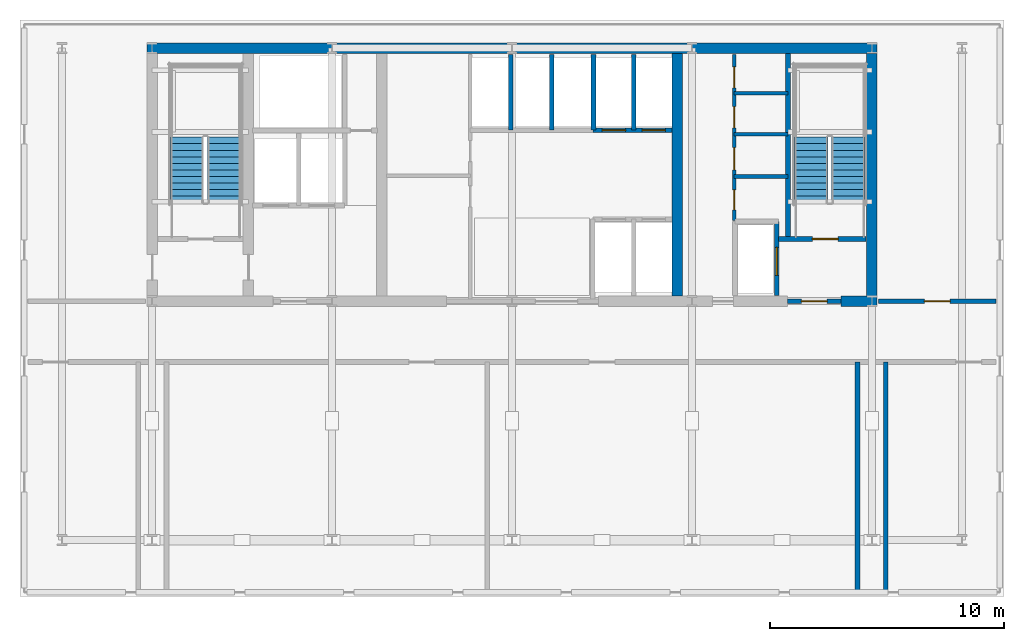
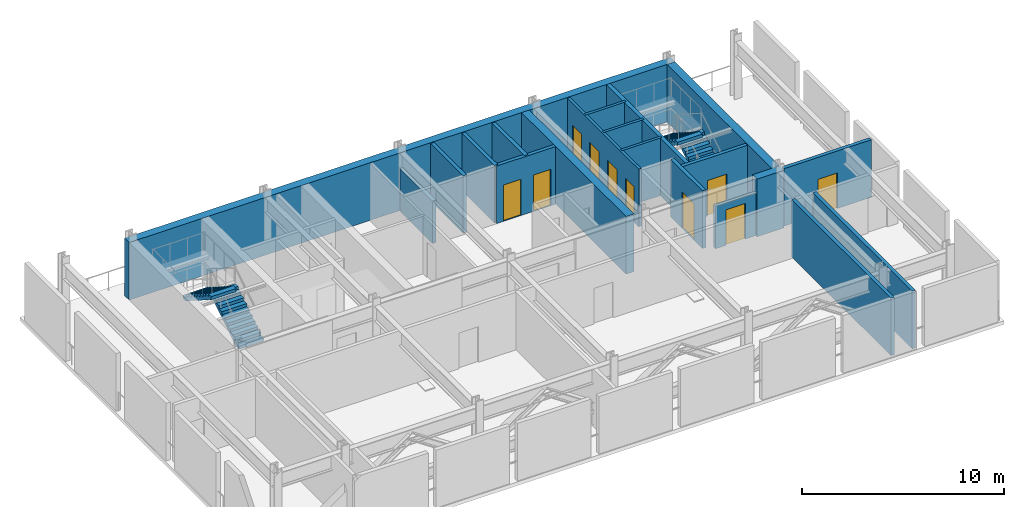
# One storey, part 3 of 7: 20 walls, 10 doors, 4 stair flights, 10 openings, 2 elements without a shape of their own.
"""IFC4 building model written with IfcOpenShell, lengths in metres."""

from ifc_helpers import new_model, si_unit, direction, frame, frame_2d, origin, place, context, subcontext, project, spatial, polyline, rectangle, outline, extrude, material, layer, layer_set, type_object, element, fill, aggregate, save


model = new_model("IFC4")

# Units and contexts
model_context = context("Model", 3, precision=1e-05, world=origin(), true_north=direction((0.0, 1.0)))
body_context = subcontext(model_context, "Body", "Model", "MODEL_VIEW")
ifc_project = project(units=[si_unit("LENGTHUNIT", "METRE"), si_unit("AREAUNIT", "SQUARE_METRE"), si_unit("VOLUMEUNIT", "CUBIC_METRE"), si_unit("PLANEANGLEUNIT", "RADIAN"), si_unit("MASSUNIT", "GRAM", prefix="KILO")], contexts=[model_context])

# Site, building, storey
site_placement = place(None, origin())
site = spatial("IfcSite", under=ifc_project, at=site_placement, CompositionType="ELEMENT")
building_placement = place(site_placement, origin())
building = spatial("IfcBuilding", under=site, at=building_placement, Name="Yelkora Congress Tower", CompositionType="ELEMENT")
storey_placement = place(building_placement, frame((0.0, 0.0, 141.199951171875)))
storey = spatial("IfcBuildingStorey", under=building, at=storey_placement, Name="L38", CompositionType="ELEMENT", Elevation=141.199951171875)

# Walls
ifc_material_1 = material(Name="Concrete C50/60", Category="concrete")
ifc_layer_1 = layer(ifc_material_1, 0.219970703125)
ifc_layer_set_1 = layer_set([ifc_layer_1], Name="Concrete C50/60")
wall_type_1 = type_object("IfcWallType", Name="WALL-CORE-INT-220", PredefinedType="SHEAR", material=ifc_layer_set_1)
wall_1_placement = place(storey_placement, frame((50.179931640625, 38.050048828125, 0.0), z_axis=(0.0, 0.0, 1.0), x_axis=(0.0, 1.0, 0.0)))
element("IfcWall", 1, at=wall_1_placement, inside=storey, type_object=wall_type_1, Name="L38 ST02 West Stair Shear Wall", PredefinedType="SHEAR", context=body_context, shape_type="SweptSolid", body=[
    extrude(rectangle(XDim=7.925048828125, YDim=0.219970703125, at=frame_2d((3.96240234375, 0.0))), origin(), (0.0, 0.0, 1.0), 3.47998046875),
])
ifc_material_2 = material(Name="Concrete C60/75", Category="concrete")
ifc_layer_2 = layer(ifc_material_2, 0.449951171875)
ifc_layer_set_2 = layer_set([ifc_layer_2], Name="Concrete C60/75")
wall_type_2 = type_object("IfcWallType", Name="WALL-CORE-INT-450", PredefinedType="SHEAR", material=ifc_layer_set_2)
wall_2_placement = place(storey_placement, frame((22.81494140625, 46.199951171875, 0.0), z_axis=(0.0, 0.0, 1.0), x_axis=(1.0, 0.0, 0.0)))
element("IfcWall", 2, at=wall_2_placement, inside=storey, type_object=wall_type_2, Name="L38 Rear Core North Shear Wall", PredefinedType="SHEAR", context=body_context, shape_type="SweptSolid", body=[
    extrude(rectangle(XDim=31.170166015625, YDim=0.449951171875, at=frame_2d((15.5849609375, 0.0))), origin(), (0.0, 0.0, 1.0), 3.47998046875),
])
wall_3_placement = place(storey_placement, frame((52.449951171875, 35.39990234375, 0.0), z_axis=(0.0, 0.0, 1.0), x_axis=(1.0, 0.0, 0.0)))
element("IfcWall", 3, at=wall_3_placement, inside=storey, type_object=wall_type_2, Name="L38 Rear Core South-East Shear Wall B", PredefinedType="SHEAR", context=body_context, shape_type="SweptSolid", body=[
    extrude(rectangle(XDim=1.53515625, YDim=0.449951171875, at=frame_2d((0.767578125, 0.0))), origin(), (0.0, 0.0, 1.0), 3.47998046875),
])
for number, where, z_axis, x_axis, name in (
    (4, (45.449951171875, 35.625, 0.0), (0.0, 0.0, 1.0), (0.0, 1.0, 0.0), "L38 Rear Core Cross Shear Wall C3"),
    (5, (53.760009765625, 35.625, 0.0), (0.0, 0.0, 1.0), (0.0, 1.0, 0.0), "L38 Rear Core Cross Shear Wall E"),
):
    element("IfcWall", number, at=place(storey_placement, frame(where, z_axis=z_axis, x_axis=x_axis)), inside=storey, type_object=wall_type_2, Name=name, PredefinedType="SHEAR", context=body_context, shape_type="SweptSolid", body=[
        extrude(rectangle(XDim=10.35009765625, YDim=0.449951171875, at=frame_2d((5.175048828125, 0.0))), origin(), (0.0, 0.0, 1.0), 3.47998046875),
    ])
ifc_material_3 = material(Name="Acoustic metal-stud gypsum partition", Category="gypsum")
ifc_layer_3 = layer(ifc_material_3, 0.14990234375)
ifc_layer_set_3 = layer_set([ifc_layer_3], Name="Acoustic metal-stud gypsum partition")
wall_type_3 = type_object("IfcWallType", Name="WALL-INT-150-NR", PredefinedType="PARTITIONING", material=ifc_layer_set_3)
for number, where, z_axis, x_axis, name in (
    (6, (47.8798828125, 40.719970703125, 0.0), (0.0, 0.0, 1.0), (1.0, 0.0, 0.0), "L38 Partition Wall 24"),
    (7, (47.8798828125, 42.52001953125, 0.0), (0.0, 0.0, 1.0), (1.0, 0.0, 0.0), "L38 Partition Wall 25"),
    (8, (47.8798828125, 44.280029296875, 0.0), (0.0, 0.0, 1.0), (1.0, 0.0, 0.0), "L38 Partition Wall 26"),
):
    element("IfcWall", number, at=place(storey_placement, frame(where, z_axis=z_axis, x_axis=x_axis)), inside=storey, type_object=wall_type_3, Name=name, PredefinedType="PARTITIONING", context=body_context, shape_type="SweptSolid", body=[
        extrude(rectangle(XDim=2.300048828125, YDim=0.14990234375, at=frame_2d((1.14990234375, 0.0))), origin(), (0.0, 0.0, 1.0), 3.47998046875),
    ])

# Wall, openings, doors
wall_4_placement = place(storey_placement, frame((47.8798828125, 38.85009765625, 0.0), z_axis=(0.0, 0.0, 1.0), x_axis=(0.0, 1.0, 0.0)))
wall_4 = element("IfcWall", 9, at=wall_4_placement, inside=storey, type_object=wall_type_3, Name="L38 Partition Wall 27", PredefinedType="PARTITIONING", context=body_context, shape_type="SweptSolid", body=[
    extrude(rectangle(XDim=7.06982421875, YDim=0.14990234375, at=frame_2d((3.534912109375, 0.0))), origin(), (0.0, 0.0, 1.0), 3.47998046875),
])
opening_1_placement = place(wall_4_placement, frame((0.449951171875, 0.0, 0.0)))
opening_1 = element("IfcOpeningElement", 10, at=opening_1_placement, cuts=wall_4, Name="Opening DR-085N", PredefinedType="OPENING", context=body_context, shape_type="SweptSolid", body=[
    extrude(rectangle(XDim=0.85009765625, YDim=2.14990234375, at=frame_2d((0.425048828125, 1.074951171875))), frame((0.0, 0.0849609375, 0.0), z_axis=(0.0, -1.0, 0.0), x_axis=(1.0, 0.0, 0.0)), (0.0, 0.0, 1.0), 0.169921875),
])
opening_2_placement = place(wall_4_placement, frame((2.14990234375, 0.0, 0.0)))
opening_2 = element("IfcOpeningElement", 11, at=opening_2_placement, cuts=wall_4, Name="Opening DR-095N", PredefinedType="OPENING", context=body_context, shape_type="SweptSolid", body=[
    extrude(rectangle(XDim=0.949951171875, YDim=2.14990234375, at=frame_2d((0.47509765625, 1.074951171875))), frame((0.0, 0.0849609375, 0.0), z_axis=(0.0, -1.0, 0.0), x_axis=(1.0, 0.0, 0.0)), (0.0, 0.0, 1.0), 0.169921875),
])
opening_3_placement = place(wall_4_placement, frame((3.949951171875, 0.0, 0.0)))
opening_3 = element("IfcOpeningElement", 12, at=opening_3_placement, cuts=wall_4, Name="Opening DR-090N", PredefinedType="OPENING", context=body_context, shape_type="SweptSolid", body=[
    extrude(rectangle(XDim=0.89990234375, YDim=2.14990234375, at=frame_2d((0.449951171875, 1.074951171875))), frame((0.0, 0.0849609375, 0.0), z_axis=(0.0, -1.0, 0.0), x_axis=(1.0, 0.0, 0.0)), (0.0, 0.0, 1.0), 0.169921875),
])
opening_4_placement = place(wall_4_placement, frame((5.64990234375, 0.0, 0.0)))
opening_4 = element("IfcOpeningElement", 13, at=opening_4_placement, cuts=wall_4, Name="Opening DR-090N", PredefinedType="OPENING", context=body_context, shape_type="SweptSolid", body=[
    extrude(rectangle(XDim=0.89990234375, YDim=2.14990234375, at=frame_2d((0.449951171875, 1.074951171875))), frame((0.0, 0.0849609375, 0.0), z_axis=(0.0, -1.0, 0.0), x_axis=(1.0, 0.0, 0.0)), (0.0, 0.0, 1.0), 0.169921875),
])
ifc_material_4 = material(Name="Laminate service store door leaf", Category="wood")
door_type_1 = type_object("IfcDoorType", Name="DOOR-INT-850", OperationType="NOTDEFINED", PredefinedType="DOOR", material=ifc_material_4)
door_1_placement = place(opening_1_placement, origin())
door_1 = element("IfcDoor", 14, at=door_1_placement, inside=storey, type_object=door_type_1, Name="L38 Janitor Room Door", OperationType="SINGLE_SWING_RIGHT", OverallHeight=2.14990234375, OverallWidth=0.85009765625, PredefinedType="DOOR", context=body_context, shape_type="SweptSolid", body=[
    extrude(rectangle(XDim=0.85009765625, YDim=2.14990234375, at=frame_2d((0.425048828125, 1.074951171875))), frame((0.0, 0.02490234375, 0.0), z_axis=(0.0, -1.0, 0.0), x_axis=(1.0, 0.0, 0.0)), (0.0, 0.0, 1.0), 0.050048828125),
])
fill(opening_1, door_1)
ifc_material_5 = material(Name="Moisture-resistant laminate door leaf", Category="wood")
door_type_2 = type_object("IfcDoorType", Name="DOOR-INT-900", OperationType="NOTDEFINED", PredefinedType="DOOR", material=ifc_material_5)
door_2_placement = place(opening_3_placement, origin())
door_2 = element("IfcDoor", 15, at=door_2_placement, inside=storey, type_object=door_type_2, Name="L38 Male WC Door", OperationType="SINGLE_SWING_RIGHT", OverallHeight=2.14990234375, OverallWidth=0.89990234375, PredefinedType="DOOR", context=body_context, shape_type="SweptSolid", body=[
    extrude(rectangle(XDim=0.89990234375, YDim=2.14990234375, at=frame_2d((0.449951171875, 1.074951171875))), frame((0.0, 0.02490234375, 0.0), z_axis=(0.0, -1.0, 0.0), x_axis=(1.0, 0.0, 0.0)), (0.0, 0.0, 1.0), 0.050048828125),
])
fill(opening_3, door_2)
door_3_placement = place(opening_4_placement, origin())
door_3 = element("IfcDoor", 16, at=door_3_placement, inside=storey, type_object=door_type_2, Name="L38 Female WC Door", OperationType="SINGLE_SWING_LEFT", OverallHeight=2.14990234375, OverallWidth=0.89990234375, PredefinedType="DOOR", context=body_context, shape_type="SweptSolid", body=[
    extrude(rectangle(XDim=0.89990234375, YDim=2.14990234375, at=frame_2d((0.449951171875, 1.074951171875))), frame((0.0, 0.02490234375, 0.0), z_axis=(0.0, -1.0, 0.0), x_axis=(1.0, 0.0, 0.0)), (0.0, 0.0, 1.0), 0.050048828125),
])
fill(opening_4, door_3)
ifc_material_6 = material(Name="Acoustic laminated timber office door", Category="wood")
door_type_3 = type_object("IfcDoorType", Name="DOOR-INT-950", OperationType="NOTDEFINED", PredefinedType="DOOR", material=ifc_material_6)
door_4_placement = place(opening_2_placement, origin())
door_4 = element("IfcDoor", 17, at=door_4_placement, inside=storey, type_object=door_type_3, Name="L38 Accessible WC Door", OperationType="SINGLE_SWING_LEFT", OverallHeight=2.14990234375, OverallWidth=0.949951171875, PredefinedType="DOOR", context=body_context, shape_type="SweptSolid", body=[
    extrude(rectangle(XDim=0.949951171875, YDim=2.14990234375, at=frame_2d((0.47509765625, 1.074951171875))), frame((0.0, 0.02490234375, 0.0), z_axis=(0.0, -1.0, 0.0), x_axis=(1.0, 0.0, 0.0)), (0.0, 0.0, 1.0), 0.050048828125),
])
fill(opening_2, door_4)

# Walls
ifc_material_7 = material(Name="Autoclaved aerated concrete blockwork", Category="masonry")
ifc_layer_4 = layer(ifc_material_7, 0.199951171875)
ifc_layer_set_4 = layer_set([ifc_layer_4], Name="Autoclaved aerated concrete blockwork")
wall_type_4 = type_object("IfcWallType", Name="WALL-INT-200-R120", PredefinedType="PARTITIONING", material=ifc_layer_set_4)
wall_5_placement = place(storey_placement, frame((38.35009765625, 42.699951171875, 0.0), z_axis=(0.0, 0.0, 1.0), x_axis=(0.0, 1.0, 0.0)))
element("IfcWall", 18, at=wall_5_placement, inside=storey, type_object=wall_type_4, Name="L38 Partition Wall 9", PredefinedType="PARTITIONING", context=body_context, shape_type="SweptSolid", body=[
    extrude(rectangle(XDim=3.219970703125, YDim=0.199951171875, at=frame_2d((1.60986328125, 0.0))), origin(), (0.0, 0.0, 1.0), 2.56494140625),
])
wall_6_placement = place(storey_placement, frame((40.10009765625, 42.699951171875, 0.0), z_axis=(0.0, 0.0, 1.0), x_axis=(0.0, 1.0, 0.0)))
element("IfcWall", 19, at=wall_6_placement, inside=storey, type_object=wall_type_4, Name="L38 Partition Wall 10", PredefinedType="PARTITIONING", context=body_context, shape_type="SweptSolid", body=[
    extrude(rectangle(XDim=3.219970703125, YDim=0.199951171875, at=frame_2d((1.60986328125, 0.0))), origin(), (0.0, 0.0, 1.0), 3.47998046875),
])

# Wall, openings, doors
wall_7_placement = place(storey_placement, frame((41.85009765625, 42.699951171875, 0.0), z_axis=(0.0, 0.0, 1.0), x_axis=(1.0, 0.0, 0.0)))
wall_7 = element("IfcWall", 20, at=wall_7_placement, inside=storey, type_object=wall_type_4, Name="L38 Partition Wall 14", PredefinedType="PARTITIONING", context=body_context, shape_type="SweptSolid", body=[
    extrude(rectangle(XDim=3.369873046875, YDim=0.199951171875, at=frame_2d((1.68505859375, 0.0))), origin(), (0.0, 0.0, 1.0), 3.47998046875),
])
opening_5_placement = place(wall_7_placement, frame((0.39990234375, 0.0, 0.0)))
opening_5 = element("IfcOpeningElement", 21, at=opening_5_placement, cuts=wall_7, Name="Opening LD-PS10", PredefinedType="OPENING", context=body_context, shape_type="SweptSolid", body=[
    extrude(rectangle(XDim=1.0, YDim=2.199951171875, at=frame_2d((0.5, 1.10009765625))), frame((0.0, 0.10986328125, 0.0), z_axis=(0.0, -1.0, 0.0), x_axis=(1.0, 0.0, 0.0)), (0.0, 0.0, 1.0), 0.219970703125),
])
opening_6_placement = place(wall_7_placement, frame((2.10009765625, 0.0, 0.0)))
opening_6 = element("IfcOpeningElement", 22, at=opening_6_placement, cuts=wall_7, Name="Opening LD-PS10", PredefinedType="OPENING", context=body_context, shape_type="SweptSolid", body=[
    extrude(rectangle(XDim=1.0, YDim=2.199951171875, at=frame_2d((0.5, 1.10009765625))), frame((0.0, 0.10986328125, 0.0), z_axis=(0.0, -1.0, 0.0), x_axis=(1.0, 0.0, 0.0)), (0.0, 0.0, 1.0), 0.219970703125),
])
ifc_material_8 = material(Name="Champagne stainless steel landing door", Category="steel")
door_type_4 = type_object("IfcDoorType", Name="DOOR-LIFT-PAS-1000", OperationType="DOUBLE_DOOR_SLIDING", PredefinedType="DOOR", material=ifc_material_8)
door_5_placement = place(opening_5_placement, origin())
door_5 = element("IfcDoor", 23, at=door_5_placement, inside=storey, type_object=door_type_4, Name="Lift Landing Door LF-P7 L38", OperationType="DOUBLE_DOOR_SLIDING", OverallHeight=2.199951171875, OverallWidth=1.0, PredefinedType="DOOR", context=body_context, shape_type="SweptSolid", body=[
    extrude(rectangle(XDim=1.0, YDim=2.199951171875, at=frame_2d((0.5, 1.10009765625))), frame((0.0, 0.02490234375, 0.0), z_axis=(0.0, -1.0, 0.0), x_axis=(1.0, 0.0, 0.0)), (0.0, 0.0, 1.0), 0.050048828125),
])
fill(opening_5, door_5)
door_6_placement = place(opening_6_placement, origin())
door_6 = element("IfcDoor", 24, at=door_6_placement, inside=storey, type_object=door_type_4, Name="Lift Landing Door LF-P8 L38", OperationType="DOUBLE_DOOR_SLIDING", OverallHeight=2.199951171875, OverallWidth=1.0, PredefinedType="DOOR", context=body_context, shape_type="SweptSolid", body=[
    extrude(rectangle(XDim=1.0, YDim=2.199951171875, at=frame_2d((0.5, 1.10009765625))), frame((0.0, 0.02490234375, 0.0), z_axis=(0.0, -1.0, 0.0), x_axis=(1.0, 0.0, 0.0)), (0.0, 0.0, 1.0), 0.050048828125),
])
fill(opening_6, door_6)

# Walls
for number, where, z_axis, x_axis, name in (
    (25, (43.60009765625, 42.699951171875, 0.0), (0.0, 0.0, 1.0), (0.0, 1.0, 0.0), "L38 Partition Wall 16"),
    (26, (41.8798828125, 42.699951171875, 0.0), (0.0, 0.0, 1.0), (0.0, 1.0, 0.0), "L38 Partition Wall 18"),
):
    element("IfcWall", number, at=place(storey_placement, frame(where, z_axis=z_axis, x_axis=x_axis)), inside=storey, type_object=wall_type_4, Name=name, PredefinedType="PARTITIONING", context=body_context, shape_type="SweptSolid", body=[
        extrude(rectangle(XDim=3.219970703125, YDim=0.199951171875, at=frame_2d((1.60986328125, 0.0))), origin(), (0.0, 0.0, 1.0), 3.47998046875),
    ])

# Wall, opening, door
wall_8_placement = place(storey_placement, frame((49.780029296875, 38.050048828125, 0.0), z_axis=(0.0, 0.0, 1.0), x_axis=(1.0, 0.0, 0.0)))
wall_8 = element("IfcWall", 27, at=wall_8_placement, inside=storey, type_object=wall_type_4, Name="L38 Stair ST-02 Enclosure Wall", PredefinedType="PARTITIONING", context=body_context, shape_type="SweptSolid", body=[
    extrude(rectangle(XDim=3.719970703125, YDim=0.199951171875, at=frame_2d((1.85986328125, 0.0))), origin(), (0.0, 0.0, 1.0), 3.47998046875),
])
opening_7_placement = place(wall_8_placement, frame((1.436279296875, 0.0, 0.0)))
opening_7 = element("IfcOpeningElement", 28, at=opening_7_placement, cuts=wall_8, Name="Opening DR-110F9", PredefinedType="OPENING", context=body_context, shape_type="SweptSolid", body=[
    extrude(rectangle(XDim=1.10009765625, YDim=2.14990234375, at=frame_2d((0.550048828125, 1.074951171875))), frame((0.0, 0.10986328125, 0.0), z_axis=(0.0, -1.0, 0.0), x_axis=(1.0, 0.0, 0.0)), (0.0, 0.0, 1.0), 0.219970703125),
])
ifc_material_9 = material(Name="Galvanised steel fire door leaf", Category="steel")
door_type_5 = type_object("IfcDoorType", Name="DOOR-FD90-1100", OperationType="NOTDEFINED", PredefinedType="DOOR", material=ifc_material_9)
door_7_placement = place(opening_7_placement, origin())
door_7 = element("IfcDoor", 29, at=door_7_placement, inside=storey, type_object=door_type_5, Name="L38 Stair ST-02 Entry Door", OperationType="SINGLE_SWING_LEFT", OverallHeight=2.14990234375, OverallWidth=1.10009765625, PredefinedType="DOOR", context=body_context, shape_type="SweptSolid", body=[
    extrude(rectangle(XDim=1.10009765625, YDim=2.14990234375, at=frame_2d((0.550048828125, 1.074951171875))), frame((0.0, 0.02490234375, 0.0), z_axis=(0.0, -1.0, 0.0), x_axis=(1.0, 0.0, 0.0)), (0.0, 0.0, 1.0), 0.050048828125),
])
fill(opening_7, door_7)

wall_9_placement = place(storey_placement, frame((50.14990234375, 35.39990234375, 0.0), z_axis=(0.0, 0.0, 1.0), x_axis=(1.0, 0.0, 0.0)))
wall_9 = element("IfcWall", 30, at=wall_9_placement, inside=storey, type_object=wall_type_4, Name="L38 Partition Wall 20", PredefinedType="PARTITIONING", context=body_context, shape_type="SweptSolid", body=[
    extrude(rectangle(XDim=2.300048828125, YDim=0.199951171875, at=frame_2d((1.14990234375, 0.0))), origin(), (0.0, 0.0, 1.0), 2.56494140625),
])
opening_8_placement = place(wall_9_placement, frame((0.60009765625, 0.0, 0.0)))
opening_8 = element("IfcOpeningElement", 31, at=opening_8_placement, cuts=wall_9, Name="Opening DR-110F9", PredefinedType="OPENING", context=body_context, shape_type="SweptSolid", body=[
    extrude(rectangle(XDim=1.10009765625, YDim=2.14990234375, at=frame_2d((0.550048828125, 1.074951171875))), frame((0.0, 0.10986328125, 0.0), z_axis=(0.0, -1.0, 0.0), x_axis=(1.0, 0.0, 0.0)), (0.0, 0.0, 1.0), 0.219970703125),
])
door_8_placement = place(opening_8_placement, origin())
door_8 = element("IfcDoor", 32, at=door_8_placement, inside=storey, type_object=door_type_5, Name="L38 East Stair Lobby Door", OperationType="SINGLE_SWING_RIGHT", OverallHeight=2.14990234375, OverallWidth=1.10009765625, PredefinedType="DOOR", context=body_context, shape_type="SweptSolid", body=[
    extrude(rectangle(XDim=1.10009765625, YDim=2.14990234375, at=frame_2d((0.550048828125, 1.074951171875))), frame((0.0, 0.02490234375, 0.0), z_axis=(0.0, -1.0, 0.0), x_axis=(1.0, 0.0, 0.0)), (0.0, 0.0, 1.0), 0.050048828125),
])
fill(opening_8, door_8)

wall_10_placement = place(storey_placement, frame((49.699951171875, 35.64990234375, 0.0), z_axis=(0.0, 0.0, 1.0), x_axis=(0.0, 1.0, 0.0)))
wall_10 = element("IfcWall", 33, at=wall_10_placement, inside=storey, type_object=wall_type_4, Name="L38 Partition Wall 21", PredefinedType="PARTITIONING", context=body_context, shape_type="SweptSolid", body=[
    extrude(rectangle(XDim=3.150146484375, YDim=0.199951171875, at=frame_2d((1.5751953125, 0.0))), origin(), (0.0, 0.0, 1.0), 3.47998046875),
])
opening_9_placement = place(wall_10_placement, frame((0.85009765625, 0.0, 0.0)))
opening_9 = element("IfcOpeningElement", 34, at=opening_9_placement, cuts=wall_10, Name="Opening LD-SV12", PredefinedType="OPENING", context=body_context, shape_type="SweptSolid", body=[
    extrude(rectangle(XDim=1.199951171875, YDim=2.199951171875, at=frame_2d((0.60009765625, 1.10009765625))), frame((0.0, 0.10986328125, 0.0), z_axis=(0.0, -1.0, 0.0), x_axis=(1.0, 0.0, 0.0)), (0.0, 0.0, 1.0), 0.219970703125),
])
ifc_material_10 = material(Name="Heavy-duty stainless steel landing door", Category="steel")
door_type_6 = type_object("IfcDoorType", Name="DOOR-LIFT-SRV-1200", OperationType="DOUBLE_DOOR_SLIDING", PredefinedType="DOOR", material=ifc_material_10)
door_9_placement = place(opening_9_placement, origin())
door_9 = element("IfcDoor", 35, at=door_9_placement, inside=storey, type_object=door_type_6, Name="Service Lift Landing Door LF-SV1 L38", OperationType="DOUBLE_DOOR_SLIDING", OverallHeight=2.199951171875, OverallWidth=1.199951171875, PredefinedType="DOOR", context=body_context, shape_type="SweptSolid", body=[
    extrude(rectangle(XDim=1.199951171875, YDim=2.199951171875, at=frame_2d((0.60009765625, 1.10009765625))), frame((0.0, 0.02490234375, 0.0), z_axis=(0.0, -1.0, 0.0), x_axis=(1.0, 0.0, 0.0)), (0.0, 0.0, 1.0), 0.050048828125),
])
fill(opening_9, door_9)

wall_11_placement = place(storey_placement, frame((54.050048828125, 35.39990234375, 0.0), z_axis=(0.0, 0.0, 1.0), x_axis=(1.0, 0.0, 0.0)))
wall_11 = element("IfcWall", 36, at=wall_11_placement, inside=storey, type_object=wall_type_4, Name="L38 Partition Wall 29", PredefinedType="PARTITIONING", context=body_context, shape_type="SweptSolid", body=[
    extrude(rectangle(XDim=5.0, YDim=0.199951171875, at=frame_2d((2.5, 0.0))), origin(), (0.0, 0.0, 1.0), 3.47998046875),
])
opening_10_placement = place(wall_11_placement, frame((1.949951171875, 0.0, 0.0)))
opening_10 = element("IfcOpeningElement", 37, at=opening_10_placement, cuts=wall_11, Name="Opening DR-110F9", PredefinedType="OPENING", context=body_context, shape_type="SweptSolid", body=[
    extrude(rectangle(XDim=1.10009765625, YDim=2.14990234375, at=frame_2d((0.550048828125, 1.074951171875))), frame((0.0, 0.10986328125, 0.0), z_axis=(0.0, -1.0, 0.0), x_axis=(1.0, 0.0, 0.0)), (0.0, 0.0, 1.0), 0.219970703125),
])
door_10_placement = place(opening_10_placement, origin())
door_10 = element("IfcDoor", 38, at=door_10_placement, inside=storey, type_object=door_type_5, Name="L38 Interior Door 20", OperationType="SINGLE_SWING_RIGHT", OverallHeight=2.14990234375, OverallWidth=1.10009765625, PredefinedType="DOOR", context=body_context, shape_type="SweptSolid", body=[
    extrude(rectangle(XDim=1.10009765625, YDim=2.14990234375, at=frame_2d((0.550048828125, 1.074951171875))), frame((0.0, 0.02490234375, 0.0), z_axis=(0.0, -1.0, 0.0), x_axis=(1.0, 0.0, 0.0)), (0.0, 0.0, 1.0), 0.050048828125),
])
fill(opening_10, door_10)

# Walls
for number, where, z_axis, x_axis, name in (
    (39, (53.14990234375, 22.97998046875, 0.0), (0.0, 0.0, 1.0), (0.0, 1.0, 0.0), "L38 Partition Wall 33"),
    (40, (54.35009765625, 22.97998046875, 0.0), (0.0, 0.0, 1.0), (0.0, 1.0, 0.0), "L38 Partition Wall 34"),
):
    element("IfcWall", number, at=place(storey_placement, frame(where, z_axis=z_axis, x_axis=x_axis)), inside=storey, type_object=wall_type_4, Name=name, PredefinedType="PARTITIONING", context=body_context, shape_type="SweptSolid", body=[
        extrude(rectangle(XDim=9.820068359375, YDim=0.199951171875, at=frame_2d((4.91015625, 0.0))), origin(), (0.0, 0.0, 1.0), 3.47998046875),
    ])

# Stair, stair flights
ifc_material_11 = material(Name="Concrete C40/50", Category="concrete")
stair_type = type_object("IfcStairType", Name="STAIR-HT-1420-R22-177", PredefinedType="HALF_TURN_STAIR", material=ifc_material_11)
stair_1_placement = place(storey_placement, origin())
stair_1 = element("IfcStair", 41, at=stair_1_placement, inside=storey, type_object=stair_type, Name="West Core Protected Exit Stair ST-01 (L38)", PredefinedType="HALF_TURN_STAIR")
stair_flight_type = type_object("IfcStairFlightType", Name="FLIGHT-1420-N11-R177-G280", PredefinedType="STRAIGHT", material=ifc_material_11)
stair_flight_1_placement = place(storey_placement, frame((26.110107421875, 39.60009765625, 0.0), z_axis=(0.0, 0.0, 1.0), x_axis=(0.0, 1.0, 0.0)))
stair_flight_1 = element("IfcStairFlight", 42, at=stair_flight_1_placement, type_object=stair_flight_type, Name="ST-01 L38 Flight 1", NumberOfRisers=11, NumberOfTreads=10, PredefinedType="STRAIGHT", RiserHeight=0.177272727, TreadLength=0.28, context=body_context, shape_type="SweptSolid", body=[
    extrude(outline(polyline([(0.0, 0.0), (0.0, 0.17724609375), (0.280029296875, 0.17724609375), (0.280029296875, 0.3544921875), (0.56005859375, 0.3544921875), (0.56005859375, 0.53173828125), (0.840087890625, 0.53173828125), (0.840087890625, 0.708984375), (1.1201171875, 0.708984375), (1.1201171875, 0.886474609375), (1.39990234375, 0.886474609375), (1.39990234375, 1.063720703125), (1.679931640625, 1.063720703125), (1.679931640625, 1.240966796875), (1.9599609375, 1.240966796875), (1.9599609375, 1.418212890625), (2.239990234375, 1.418212890625), (2.239990234375, 1.595458984375), (2.52001953125, 1.595458984375), (2.52001953125, 1.772705078125), (2.800048828125, 1.772705078125), (2.800048828125, 1.949951171875), (2.800048828125, 1.58349609375), (0.298828125, 0.0), (0.0, 0.0)])), frame((0.0, 0.7099609375, 0.0), z_axis=(0.0, -1.0, 0.0), x_axis=(1.0, 0.0, 0.0)), (0.0, 0.0, 1.0), 1.419921875),
])
stair_flight_2_placement = place(storey_placement, frame((24.530029296875, 42.39990234375, 1.949951171875), z_axis=(0.0, 0.0, 1.0), x_axis=(0.0, -1.0, 0.0)))
stair_flight_2 = element("IfcStairFlight", 43, at=stair_flight_2_placement, type_object=stair_flight_type, Name="ST-01 L38 Flight 2", NumberOfRisers=11, NumberOfTreads=10, PredefinedType="STRAIGHT", RiserHeight=0.177272727, TreadLength=0.28, context=body_context, shape_type="SweptSolid", body=[
    extrude(outline(polyline([(0.0, 0.0), (0.0, 0.17724609375), (0.280029296875, 0.17724609375), (0.280029296875, 0.3544921875), (0.56005859375, 0.3544921875), (0.56005859375, 0.53173828125), (0.840087890625, 0.53173828125), (0.840087890625, 0.708984375), (1.1201171875, 0.708984375), (1.1201171875, 0.886474609375), (1.39990234375, 0.886474609375), (1.39990234375, 1.063720703125), (1.679931640625, 1.063720703125), (1.679931640625, 1.240966796875), (1.9599609375, 1.240966796875), (1.9599609375, 1.418212890625), (2.239990234375, 1.418212890625), (2.239990234375, 1.595458984375), (2.52001953125, 1.595458984375), (2.52001953125, 1.772705078125), (2.800048828125, 1.772705078125), (2.800048828125, 1.949951171875), (2.800048828125, 1.58349609375), (0.298828125, 0.0), (0.0, 0.0)])), frame((0.0, 0.7099609375, 0.0), z_axis=(0.0, -1.0, 0.0), x_axis=(1.0, 0.0, 0.0)), (0.0, 0.0, 1.0), 1.419921875),
])
aggregate(stair_1, [stair_flight_1, stair_flight_2])

stair_2_placement = place(storey_placement, origin())
stair_2 = element("IfcStair", 44, at=stair_2_placement, inside=storey, type_object=stair_type, Name="East Core Protected Exit Stair ST-02 (L38)", PredefinedType="HALF_TURN_STAIR")
stair_flight_3_placement = place(storey_placement, frame((52.75, 39.60009765625, 0.0), z_axis=(0.0, 0.0, 1.0), x_axis=(0.0, 1.0, 0.0)))
stair_flight_3 = element("IfcStairFlight", 45, at=stair_flight_3_placement, type_object=stair_flight_type, Name="ST-02 L38 Flight 1", NumberOfRisers=11, NumberOfTreads=10, PredefinedType="STRAIGHT", RiserHeight=0.177272727, TreadLength=0.28, context=body_context, shape_type="SweptSolid", body=[
    extrude(outline(polyline([(0.0, 0.0), (0.0, 0.17724609375), (0.280029296875, 0.17724609375), (0.280029296875, 0.3544921875), (0.56005859375, 0.3544921875), (0.56005859375, 0.53173828125), (0.840087890625, 0.53173828125), (0.840087890625, 0.708984375), (1.1201171875, 0.708984375), (1.1201171875, 0.886474609375), (1.39990234375, 0.886474609375), (1.39990234375, 1.063720703125), (1.679931640625, 1.063720703125), (1.679931640625, 1.240966796875), (1.9599609375, 1.240966796875), (1.9599609375, 1.418212890625), (2.239990234375, 1.418212890625), (2.239990234375, 1.595458984375), (2.52001953125, 1.595458984375), (2.52001953125, 1.772705078125), (2.800048828125, 1.772705078125), (2.800048828125, 1.949951171875), (2.800048828125, 1.58349609375), (0.298828125, 0.0), (0.0, 0.0)])), frame((0.0, 0.7099609375, 0.0), z_axis=(0.0, -1.0, 0.0), x_axis=(1.0, 0.0, 0.0)), (0.0, 0.0, 1.0), 1.419921875),
])
stair_flight_4_placement = place(storey_placement, frame((51.169921875, 42.39990234375, 1.949951171875), z_axis=(0.0, 0.0, 1.0), x_axis=(0.0, -1.0, 0.0)))
stair_flight_4 = element("IfcStairFlight", 46, at=stair_flight_4_placement, type_object=stair_flight_type, Name="ST-02 L38 Flight 2", NumberOfRisers=11, NumberOfTreads=10, PredefinedType="STRAIGHT", RiserHeight=0.177272727, TreadLength=0.28, context=body_context, shape_type="SweptSolid", body=[
    extrude(outline(polyline([(0.0, 0.0), (0.0, 0.17724609375), (0.280029296875, 0.17724609375), (0.280029296875, 0.3544921875), (0.56005859375, 0.3544921875), (0.56005859375, 0.53173828125), (0.840087890625, 0.53173828125), (0.840087890625, 0.708984375), (1.1201171875, 0.708984375), (1.1201171875, 0.886474609375), (1.39990234375, 0.886474609375), (1.39990234375, 1.063720703125), (1.679931640625, 1.063720703125), (1.679931640625, 1.240966796875), (1.9599609375, 1.240966796875), (1.9599609375, 1.418212890625), (2.239990234375, 1.418212890625), (2.239990234375, 1.595458984375), (2.52001953125, 1.595458984375), (2.52001953125, 1.772705078125), (2.800048828125, 1.772705078125), (2.800048828125, 1.949951171875), (2.800048828125, 1.58349609375), (0.298828125, 0.0), (0.0, 0.0)])), frame((0.0, 0.7099609375, 0.0), z_axis=(0.0, -1.0, 0.0), x_axis=(1.0, 0.0, 0.0)), (0.0, 0.0, 1.0), 1.419921875),
])
aggregate(stair_2, [stair_flight_3, stair_flight_4])

save(model, "model.ifc")
